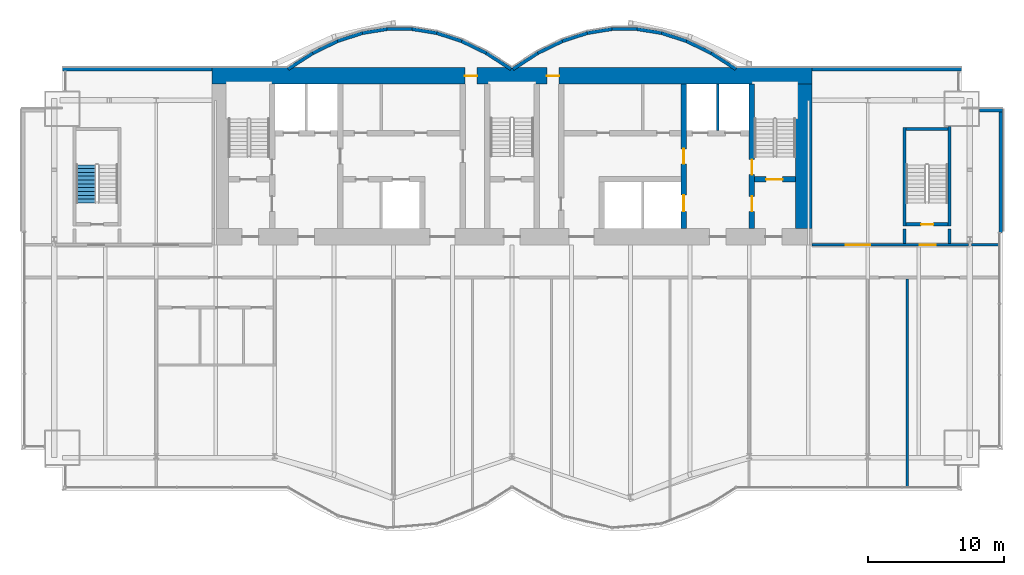
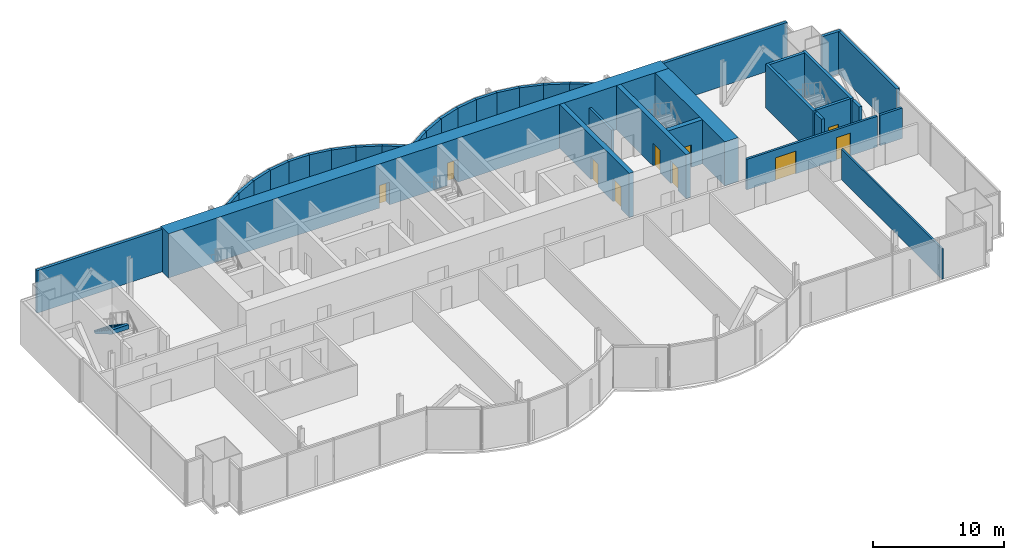
# One storey, part 16 of 20: 37 walls, 10 doors, 1 stair flight, 10 openings, 1 element without a shape of its own.
"""IFC4 building model written with IfcOpenShell, lengths in metres."""

from ifc_helpers import new_model, si_unit, direction, frame, frame_2d, origin, place, context, subcontext, project, spatial, polyline, rectangle, outline, extrude, material, layer, layer_set, layer_usage, type_object, element, fill, aggregate, save


model = new_model("IFC4")

# Units and contexts
model_context = context("Model", 3, precision=1e-05, world=origin(), true_north=direction((0.0, 1.0)))
body_context = subcontext(model_context, "Body", "Model", "MODEL_VIEW")
ifc_project = project(units=[si_unit("LENGTHUNIT", "METRE"), si_unit("AREAUNIT", "SQUARE_METRE"), si_unit("VOLUMEUNIT", "CUBIC_METRE"), si_unit("PLANEANGLEUNIT", "RADIAN"), si_unit("MASSUNIT", "GRAM", prefix="KILO")], contexts=[model_context])

# Site, building, storey
site_placement = place(None, origin())
site = spatial("IfcSite", under=ifc_project, at=site_placement, CompositionType="ELEMENT")
building_placement = place(site_placement, origin())
building = spatial("IfcBuilding", under=site, at=building_placement, Name="Bicima Exchange Tower", CompositionType="ELEMENT")
storey_placement = place(building_placement, frame((0.0, 0.0, 227.800048828125)))
storey = spatial("IfcBuildingStorey", under=building, at=storey_placement, Name="L51", CompositionType="ELEMENT", Elevation=227.800048828125)

# Wall
ifc_material_1 = material(Name="Gypsum board partition")
ifc_layer_1 = layer(ifc_material_1, 0.199951171875)
ifc_layer_set_1 = layer_set([ifc_layer_1], Name="Gypsum board partition")
wall_type_1 = type_object("IfcWallType", Name="Fire-rated gypsum partition 200 EI120", PredefinedType="PARTITIONING", material=ifc_layer_set_1)
wall_1_placement = place(storey_placement, frame((15.10009765625, -4.60009765625, 0.0), z_axis=(0.0, 0.0, 1.0), x_axis=(0.0, 1.0, 0.0)))
element("IfcWall", 1, at=wall_1_placement, inside=storey, type_object=wall_type_1, Name="partition wall 22", PredefinedType="PARTITIONING", context=body_context, shape_type="SweptSolid", body=[
    extrude(rectangle(XDim=3.400146484375, YDim=0.199951171875, at=frame_2d((1.7001953125, 0.0))), origin(), (0.0, 0.0, 1.0), 2.84033203125),
])

# Wall, openings, doors
ifc_layer_2 = layer(ifc_material_1, 0.199951171875)
ifc_layer_set_2 = layer_set([ifc_layer_2], Name="Gypsum board partition")
wall_type_2 = type_object("IfcWallType", Name="Fire-rated gypsum partition 200 EI60", PredefinedType="PARTITIONING", material=ifc_layer_set_2)
wall_2_placement = place(storey_placement, frame((22.0, -13.0, 0.0), z_axis=(0.0, 0.0, 1.0), x_axis=(1.0, 0.0, 0.0)))
wall_2 = element("IfcWall", 2, at=wall_2_placement, inside=storey, type_object=wall_type_2, Name="partition wall 6", PredefinedType="PARTITIONING", context=body_context, shape_type="SweptSolid", body=[
    extrude(rectangle(XDim=11.47998046875, YDim=0.199951171875, at=frame_2d((5.739990234375, 0.0))), origin(), (0.0, 0.0, 1.0), 2.84033203125),
])
opening_1_placement = place(wall_2_placement, frame((7.89990234375, 0.0, 0.0)))
opening_1 = element("IfcOpeningElement", 3, at=opening_1_placement, cuts=wall_2, Name="Opening L51-003", PredefinedType="OPENING", context=body_context, shape_type="SweptSolid", body=[
    extrude(rectangle(XDim=1.199951171875, YDim=2.10009765625, at=frame_2d((0.60009765625, 1.050048828125))), frame((0.0, 0.11181640625, 0.0), z_axis=(0.0, -1.0, 0.0), x_axis=(1.0, 0.0, 0.0)), (0.0, 0.0, 1.0), 0.223876953125),
])
opening_2_placement = place(wall_2_placement, frame((2.5, 0.0, 0.0)))
opening_2 = element("IfcOpeningElement", 4, at=opening_2_placement, cuts=wall_2, Name="Opening L51-006", PredefinedType="OPENING", context=body_context, shape_type="SweptSolid", body=[
    extrude(rectangle(XDim=1.800048828125, YDim=2.10009765625, at=frame_2d((0.89990234375, 1.050048828125))), frame((0.0, 0.11181640625, 0.0), z_axis=(0.0, -1.0, 0.0), x_axis=(1.0, 0.0, 0.0)), (0.0, 0.0, 1.0), 0.223876953125),
])
ifc_material_2 = material(Name="Steel fire door leaf", Category="steel")
door_type_1 = type_object("IfcDoorType", Name="Door 1200 swing FD30S", OperationType="SINGLE_SWING_LEFT", PredefinedType="DOOR", material=ifc_material_2)
door_1_placement = place(opening_1_placement, origin())
door_1 = element("IfcDoor", 5, at=door_1_placement, inside=storey, type_object=door_type_1, Name="Door", OperationType="SINGLE_SWING_RIGHT", OverallHeight=2.10009765625, OverallWidth=1.199951171875, PredefinedType="DOOR", context=body_context, shape_type="SweptSolid", body=[
    extrude(rectangle(XDim=1.199951171875, YDim=2.10009765625, at=frame_2d((0.60009765625, 1.050048828125))), frame((0.0, 0.02490234375, 0.0), z_axis=(0.0, -1.0, 0.0), x_axis=(1.0, 0.0, 0.0)), (0.0, 0.0, 1.0), 0.050048828125),
])
fill(opening_1, door_1)
door_type_2 = type_object("IfcDoorType", Name="Door 1800 double swing FD30S", OperationType="DOUBLE_DOOR_SINGLE_SWING", PredefinedType="DOOR", material=ifc_material_2)
door_2_placement = place(opening_2_placement, origin())
door_2 = element("IfcDoor", 6, at=door_2_placement, inside=storey, type_object=door_type_2, Name="Door", OperationType="SINGLE_SWING_LEFT", OverallHeight=2.10009765625, OverallWidth=1.800048828125, PredefinedType="DOOR", context=body_context, shape_type="SweptSolid", body=[
    extrude(rectangle(XDim=1.800048828125, YDim=2.10009765625, at=frame_2d((0.89990234375, 1.050048828125))), frame((0.0, 0.02490234375, 0.0), z_axis=(0.0, -1.0, 0.0), x_axis=(1.0, 0.0, 0.0)), (0.0, 0.0, 1.0), 0.050048828125),
])
fill(opening_2, door_2)

# Walls
wall_3_placement = place(storey_placement, frame((33.719970703125, -13.0, 0.0), z_axis=(0.0, 0.0, 1.0), x_axis=(1.0, 0.0, 0.0)))
element("IfcWall", 7, at=wall_3_placement, inside=storey, type_object=wall_type_2, Name="partition wall 7", PredefinedType="PARTITIONING", context=body_context, shape_type="SweptSolid", body=[
    extrude(rectangle(XDim=1.9599609375, YDim=0.199951171875, at=frame_2d((0.97998046875, 0.0))), origin(), (0.0, 0.0, 1.0), 2.84033203125),
])
ifc_layer_3 = layer(ifc_material_1, 0.14990234375)
ifc_layer_set_3 = layer_set([ifc_layer_3], Name="Gypsum board partition")
wall_type_3 = type_object("IfcWallType", Name="Gypsum partition 150", PredefinedType="PARTITIONING", material=ifc_layer_set_3)
wall_4_placement = place(storey_placement, frame((29.0, -30.81005859375, 0.0), z_axis=(0.0, 0.0, 1.0), x_axis=(0.0, 1.0, 0.0)))
element("IfcWall", 8, at=wall_4_placement, inside=storey, type_object=wall_type_3, Name="partition wall 28", PredefinedType="PARTITIONING", context=body_context, shape_type="SweptSolid", body=[
    extrude(rectangle(XDim=15.31005859375, YDim=0.14990234375, at=frame_2d((7.655029296875, 0.0))), origin(), (0.0, 0.0, 1.0), 2.84033203125),
])

# Wall, openings, doors
ifc_material_3 = material(Name="Concrete C50/60", Category="concrete")
ifc_layer_4 = layer(ifc_material_3, 1.199951171875)
ifc_layer_set_4 = layer_set([ifc_layer_4], Name="Concrete C50/60")
wall_type_4 = type_object("IfcWallType", Name="RC core wall 1200 C50/60", PredefinedType="SHEAR", material=ifc_layer_set_4)
wall_5_placement = place(storey_placement, frame((-22.0, -0.60009765625, 0.0), z_axis=(0.0, 0.0, 1.0), x_axis=(1.0, 0.0, 0.0)))
wall_5 = element("IfcWall", 9, at=wall_5_placement, inside=storey, type_object=wall_type_4, Name="Core wall north", PredefinedType="SHEAR", context=body_context, shape_type="SweptSolid", body=[
    extrude(rectangle(XDim=44.0, YDim=1.199951171875, at=frame_2d((22.0, 0.0))), origin(), (0.0, 0.0, 1.0), 4.099853515625),
])
opening_3_placement = place(wall_5_placement, frame((18.550048828125, 0.0, 0.0)))
opening_3 = element("IfcOpeningElement", 10, at=opening_3_placement, cuts=wall_5, Name="Opening L51-C17", PredefinedType="OPENING", context=body_context, shape_type="SweptSolid", body=[
    extrude(rectangle(XDim=0.89990234375, YDim=2.10009765625, at=frame_2d((0.449951171875, 1.050048828125))), frame((0.0, 0.61181640625, 0.0), z_axis=(0.0, -1.0, 0.0), x_axis=(1.0, 0.0, 0.0)), (0.0, 0.0, 1.0), 1.223876953125),
])
opening_4_placement = place(wall_5_placement, frame((24.550048828125, 0.0, 0.0)))
opening_4 = element("IfcOpeningElement", 11, at=opening_4_placement, cuts=wall_5, Name="Opening L51-C18", PredefinedType="OPENING", context=body_context, shape_type="SweptSolid", body=[
    extrude(rectangle(XDim=0.89990234375, YDim=2.10009765625, at=frame_2d((0.449951171875, 1.050048828125))), frame((0.0, 0.61181640625, 0.0), z_axis=(0.0, -1.0, 0.0), x_axis=(1.0, 0.0, 0.0)), (0.0, 0.0, 1.0), 1.223876953125),
])
door_type_3 = type_object("IfcDoorType", Name="Door 900 swing FD30S", OperationType="SINGLE_SWING_LEFT", PredefinedType="DOOR", material=ifc_material_2)
door_3_placement = place(opening_3_placement, origin())
door_3 = element("IfcDoor", 12, at=door_3_placement, inside=storey, type_object=door_type_3, Name="Core door", OperationType="SINGLE_SWING_LEFT", OverallHeight=2.10009765625, OverallWidth=0.89990234375, PredefinedType="DOOR", context=body_context, shape_type="SweptSolid", body=[
    extrude(rectangle(XDim=0.89990234375, YDim=2.10009765625, at=frame_2d((0.449951171875, 1.050048828125))), frame((0.0, 0.02490234375, 0.0), z_axis=(0.0, -1.0, 0.0), x_axis=(1.0, 0.0, 0.0)), (0.0, 0.0, 1.0), 0.050048828125),
])
fill(opening_3, door_3)
door_4_placement = place(opening_4_placement, origin())
door_4 = element("IfcDoor", 13, at=door_4_placement, inside=storey, type_object=door_type_3, Name="Core door", OperationType="SINGLE_SWING_LEFT", OverallHeight=2.10009765625, OverallWidth=0.89990234375, PredefinedType="DOOR", context=body_context, shape_type="SweptSolid", body=[
    extrude(rectangle(XDim=0.89990234375, YDim=2.10009765625, at=frame_2d((0.449951171875, 1.050048828125))), frame((0.0, 0.02490234375, 0.0), z_axis=(0.0, -1.0, 0.0), x_axis=(1.0, 0.0, 0.0)), (0.0, 0.0, 1.0), 0.050048828125),
])
fill(opening_4, door_4)

# Walls
wall_6_placement = place(storey_placement, frame((21.39990234375, -11.800048828125, 0.0), z_axis=(0.0, 0.0, 1.0), x_axis=(0.0, 1.0, 0.0)))
element("IfcWall", 14, at=wall_6_placement, inside=storey, type_object=wall_type_4, Name="Core wall east", PredefinedType="SHEAR", context=body_context, shape_type="SweptSolid", body=[
    extrude(rectangle(XDim=10.60009765625, YDim=1.199951171875, at=frame_2d((5.300048828125, 0.0))), origin(), (0.0, 0.0, 1.0), 4.099853515625),
])
ifc_layer_5 = layer(ifc_material_3, 0.25)
ifc_layer_set_5 = layer_set([ifc_layer_5], Name="Concrete C50/60")
wall_type_5 = type_object("IfcWallType", Name="RC core wall 250 C50/60", PredefinedType="SHEAR", material=ifc_layer_set_5)
for number, where, z_axis, x_axis, name in (
    (15, (28.800048828125, -12.89990234375, 0.0), (0.0, 0.0, 1.0), (0.0, 1.0, 0.0), "stair wall 27"),
    (16, (32.10009765625, -12.89990234375, 0.0), (0.0, 0.0, 1.0), (0.0, 1.0, 0.0), "stair wall 29"),
):
    element("IfcWall", number, at=place(storey_placement, frame(where, z_axis=z_axis, x_axis=x_axis)), inside=storey, type_object=wall_type_5, Name=name, PredefinedType="SHEAR", context=body_context, shape_type="SweptSolid", body=[
        extrude(rectangle(XDim=1.0498046875, YDim=0.25, at=frame_2d((0.52490234375, 0.0))), origin(), (0.0, 0.0, 1.0), 4.099853515625),
    ])

# Wall, opening, door
ifc_layer_6 = layer(ifc_material_3, 0.39990234375)
ifc_layer_set_6 = layer_set([ifc_layer_6], Name="Concrete C50/60")
wall_type_6 = type_object("IfcWallType", Name="RC core wall 400 C50/60", PredefinedType="SHEAR", material=ifc_layer_set_6)
wall_7_placement = place(storey_placement, frame((17.800048828125, -8.199951171875, 0.0), z_axis=(0.0, 0.0, 1.0), x_axis=(1.0, 0.0, 0.0)))
wall_7 = element("IfcWall", 17, at=wall_7_placement, inside=storey, type_object=wall_type_6, Name="stair wall 5", PredefinedType="SHEAR", context=body_context, shape_type="SweptSolid", body=[
    extrude(rectangle(XDim=3.0, YDim=0.39990234375, at=frame_2d((1.5, 0.0))), origin(), (0.0, 0.0, 1.0), 4.099853515625),
])
opening_5_placement = place(wall_7_placement, frame((0.85009765625, 0.0, 0.0)))
opening_5 = element("IfcOpeningElement", 18, at=opening_5_placement, cuts=wall_7, Name="Opening L51-C04", PredefinedType="OPENING", context=body_context, shape_type="SweptSolid", body=[
    extrude(rectangle(XDim=1.199951171875, YDim=2.10009765625, at=frame_2d((0.60009765625, 1.050048828125))), frame((0.0, 0.2119140625, 0.0), z_axis=(0.0, -1.0, 0.0), x_axis=(1.0, 0.0, 0.0)), (0.0, 0.0, 1.0), 0.423828125),
])
door_type_4 = type_object("IfcDoorType", Name="Door 1200 swing FD60S", OperationType="SINGLE_SWING_LEFT", PredefinedType="DOOR", material=ifc_material_2)
door_5_placement = place(opening_5_placement, origin())
door_5 = element("IfcDoor", 19, at=door_5_placement, inside=storey, type_object=door_type_4, Name="Core door", OperationType="SINGLE_SWING_RIGHT", OverallHeight=2.10009765625, OverallWidth=1.199951171875, PredefinedType="DOOR", context=body_context, shape_type="SweptSolid", body=[
    extrude(rectangle(XDim=1.199951171875, YDim=2.10009765625, at=frame_2d((0.60009765625, 1.050048828125))), frame((0.0, 0.02490234375, 0.0), z_axis=(0.0, -1.0, 0.0), x_axis=(1.0, 0.0, 0.0)), (0.0, 0.0, 1.0), 0.050048828125),
])
fill(opening_5, door_5)

# Wall, openings, doors
wall_8_placement = place(storey_placement, frame((12.60009765625, -11.800048828125, 0.0), z_axis=(0.0, 0.0, 1.0), x_axis=(0.0, 1.0, 0.0)))
wall_8 = element("IfcWall", 20, at=wall_8_placement, inside=storey, type_object=wall_type_6, Name="shear wall 21", PredefinedType="SHEAR", context=body_context, shape_type="SweptSolid", body=[
    extrude(rectangle(XDim=10.60009765625, YDim=0.39990234375, at=frame_2d((5.300048828125, 0.0))), origin(), (0.0, 0.0, 1.0), 4.099853515625),
])
opening_6_placement = place(wall_8_placement, frame((1.25, 0.0, 0.0)))
opening_6 = element("IfcOpeningElement", 21, at=opening_6_placement, cuts=wall_8, Name="Opening LD-MB2-L51", PredefinedType="OPENING", context=body_context, shape_type="SweptSolid", body=[
    extrude(rectangle(XDim=1.199951171875, YDim=2.10009765625, at=frame_2d((0.60009765625, 1.050048828125))), frame((0.0, 0.2119140625, 0.0), z_axis=(0.0, -1.0, 0.0), x_axis=(1.0, 0.0, 0.0)), (0.0, 0.0, 1.0), 0.423828125),
])
opening_7_placement = place(wall_8_placement, frame((4.75, 0.0, 0.0)))
opening_7 = element("IfcOpeningElement", 22, at=opening_7_placement, cuts=wall_8, Name="Opening L51-C09", PredefinedType="OPENING", context=body_context, shape_type="SweptSolid", body=[
    extrude(rectangle(XDim=1.10009765625, YDim=2.10009765625, at=frame_2d((0.550048828125, 1.050048828125))), frame((0.0, 0.2119140625, 0.0), z_axis=(0.0, -1.0, 0.0), x_axis=(1.0, 0.0, 0.0)), (0.0, 0.0, 1.0), 0.423828125),
])
door_type_5 = type_object("IfcDoorType", Name="Door 1100 swing FD60S", OperationType="SINGLE_SWING_LEFT", PredefinedType="DOOR", material=ifc_material_2)
door_6_placement = place(opening_7_placement, frame((1.10009765625, 0.0, 0.0), z_axis=(0.0, 0.0, 1.0), x_axis=(-1.0, 0.0, 0.0)))
door_6 = element("IfcDoor", 23, at=door_6_placement, inside=storey, type_object=door_type_5, Name="Core door", OperationType="SINGLE_SWING_RIGHT", OverallHeight=2.10009765625, OverallWidth=1.10009765625, PredefinedType="DOOR", context=body_context, shape_type="SweptSolid", body=[
    extrude(rectangle(XDim=1.10009765625, YDim=2.10009765625, at=frame_2d((0.550048828125, 1.050048828125))), frame((0.0, 0.02490234375, 0.0), z_axis=(0.0, -1.0, 0.0), x_axis=(1.0, 0.0, 0.0)), (0.0, 0.0, 1.0), 0.050048828125),
])
fill(opening_7, door_6)
ifc_material_4 = material(Name="Stainless steel", Category="steel")
door_type_6 = type_object("IfcDoorType", Name="Lift landing door 1200 sliding", OperationType="DOUBLE_DOOR_SLIDING", PredefinedType="DOOR", material=ifc_material_4)
door_7_placement = place(opening_6_placement, origin())
door_7 = element("IfcDoor", 24, at=door_7_placement, inside=storey, type_object=door_type_6, Name="Lift landing door MB2", OperationType="DOUBLE_DOOR_SLIDING", OverallHeight=2.10009765625, OverallWidth=1.199951171875, PredefinedType="DOOR", context=body_context, shape_type="SweptSolid", body=[
    extrude(rectangle(XDim=1.199951171875, YDim=2.10009765625, at=frame_2d((0.60009765625, 1.050048828125))), frame((0.0, 0.02490234375, 0.0), z_axis=(0.0, -1.0, 0.0), x_axis=(1.0, 0.0, 0.0)), (0.0, 0.0, 1.0), 0.050048828125),
])
fill(opening_6, door_7)

wall_9_placement = place(storey_placement, frame((17.60009765625, -11.800048828125, 0.0), z_axis=(0.0, 0.0, 1.0), x_axis=(0.0, 1.0, 0.0)))
wall_9 = element("IfcWall", 25, at=wall_9_placement, inside=storey, type_object=wall_type_6, Name="stair wall 23", PredefinedType="SHEAR", context=body_context, shape_type="SweptSolid", body=[
    extrude(rectangle(XDim=10.60009765625, YDim=0.39990234375, at=frame_2d((5.300048828125, 0.0))), origin(), (0.0, 0.0, 1.0), 4.099853515625),
])
opening_8_placement = place(wall_9_placement, frame((1.25, 0.0, 0.0)))
opening_8 = element("IfcOpeningElement", 26, at=opening_8_placement, cuts=wall_9, Name="Opening L51-C05", PredefinedType="OPENING", context=body_context, shape_type="SweptSolid", body=[
    extrude(rectangle(XDim=1.10009765625, YDim=2.10009765625, at=frame_2d((0.550048828125, 1.050048828125))), frame((0.0, 0.2119140625, 0.0), z_axis=(0.0, -1.0, 0.0), x_axis=(1.0, 0.0, 0.0)), (0.0, 0.0, 1.0), 0.423828125),
])
opening_9_placement = place(wall_9_placement, frame((3.949951171875, 0.0, 0.0)))
opening_9 = element("IfcOpeningElement", 27, at=opening_9_placement, cuts=wall_9, Name="Opening L51-C08", PredefinedType="OPENING", context=body_context, shape_type="SweptSolid", body=[
    extrude(rectangle(XDim=1.10009765625, YDim=2.10009765625, at=frame_2d((0.550048828125, 1.050048828125))), frame((0.0, 0.2119140625, 0.0), z_axis=(0.0, -1.0, 0.0), x_axis=(1.0, 0.0, 0.0)), (0.0, 0.0, 1.0), 0.423828125),
])
door_8_placement = place(opening_8_placement, origin())
door_8 = element("IfcDoor", 28, at=door_8_placement, inside=storey, type_object=door_type_5, Name="Core door", OperationType="SINGLE_SWING_LEFT", OverallHeight=2.10009765625, OverallWidth=1.10009765625, PredefinedType="DOOR", context=body_context, shape_type="SweptSolid", body=[
    extrude(rectangle(XDim=1.10009765625, YDim=2.10009765625, at=frame_2d((0.550048828125, 1.050048828125))), frame((0.0, 0.02490234375, 0.0), z_axis=(0.0, -1.0, 0.0), x_axis=(1.0, 0.0, 0.0)), (0.0, 0.0, 1.0), 0.050048828125),
])
fill(opening_8, door_8)
door_9_placement = place(opening_9_placement, origin())
door_9 = element("IfcDoor", 29, at=door_9_placement, inside=storey, type_object=door_type_5, Name="Core door", OperationType="SINGLE_SWING_RIGHT", OverallHeight=2.10009765625, OverallWidth=1.10009765625, PredefinedType="DOOR", context=body_context, shape_type="SweptSolid", body=[
    extrude(rectangle(XDim=1.10009765625, YDim=2.10009765625, at=frame_2d((0.550048828125, 1.050048828125))), frame((0.0, 0.02490234375, 0.0), z_axis=(0.0, -1.0, 0.0), x_axis=(1.0, 0.0, 0.0)), (0.0, 0.0, 1.0), 0.050048828125),
])
fill(opening_9, door_9)

# Walls
ifc_layer_7 = layer(ifc_material_3, 0.25)
ifc_layer_set_7 = layer_set([ifc_layer_7], Name="Concrete C50/60")
wall_type_7 = type_object("IfcWallType", Name="RC stair enclosure wall 250 C50/60", PredefinedType="SHEAR", material=ifc_layer_set_7)
wall_10_placement = place(storey_placement, frame((28.800048828125, -11.625, 0.0), z_axis=(0.0, 0.0, 1.0), x_axis=(0.0, 1.0, 0.0)))
element("IfcWall", 30, at=wall_10_placement, inside=storey, type_object=wall_type_7, Name="East end exit stair wall W", PredefinedType="SHEAR", context=body_context, shape_type="SweptSolid", body=[
    extrude(rectangle(XDim=7.25, YDim=0.25, at=frame_2d((3.625, 0.0))), origin(), (0.0, 0.0, 1.0), 4.099853515625),
])
wall_11_placement = place(storey_placement, frame((32.10009765625, -11.625, 0.0), z_axis=(0.0, 0.0, 1.0), x_axis=(0.0, 1.0, 0.0)))
element("IfcWall", 31, at=wall_11_placement, inside=storey, type_object=wall_type_7, Name="East end exit stair wall E", PredefinedType="SHEAR", context=body_context, shape_type="SweptSolid", body=[
    extrude(rectangle(XDim=7.324951171875, YDim=0.25, at=frame_2d((3.66259765625, 0.0))), origin(), (0.0, 0.0, 1.0), 4.099853515625),
])

# Wall, opening, door
wall_12_placement = place(storey_placement, frame((28.925048828125, -11.5, 0.0), z_axis=(0.0, 0.0, 1.0), x_axis=(1.0, 0.0, 0.0)))
wall_12 = element("IfcWall", 32, at=wall_12_placement, inside=storey, type_object=wall_type_7, Name="East end exit stair wall S", PredefinedType="SHEAR", context=body_context, shape_type="SweptSolid", body=[
    extrude(rectangle(XDim=3.050048828125, YDim=0.25, at=frame_2d((1.52490234375, 0.0))), origin(), (0.0, 0.0, 1.0), 4.099853515625),
])
opening_10_placement = place(wall_12_placement, frame((1.10009765625, 0.0, 0.0)))
opening_10 = element("IfcOpeningElement", 33, at=opening_10_placement, cuts=wall_12, Name="Opening L51-004", PredefinedType="OPENING", context=body_context, shape_type="SweptSolid", body=[
    extrude(rectangle(XDim=0.89990234375, YDim=2.10009765625, at=frame_2d((0.449951171875, 1.050048828125))), frame((0.0, 0.136962890625, 0.0), z_axis=(0.0, -1.0, 0.0), x_axis=(1.0, 0.0, 0.0)), (0.0, 0.0, 1.0), 0.27392578125),
])
door_type_7 = type_object("IfcDoorType", Name="Door 900 swing FD60S", OperationType="SINGLE_SWING_LEFT", PredefinedType="DOOR", material=ifc_material_2)
door_10_placement = place(opening_10_placement, origin())
door_10 = element("IfcDoor", 34, at=door_10_placement, inside=storey, type_object=door_type_7, Name="Door", OperationType="SINGLE_SWING_LEFT", OverallHeight=2.10009765625, OverallWidth=0.89990234375, PredefinedType="DOOR", context=body_context, shape_type="SweptSolid", body=[
    extrude(rectangle(XDim=0.89990234375, YDim=2.10009765625, at=frame_2d((0.449951171875, 1.050048828125))), frame((0.0, 0.02490234375, 0.0), z_axis=(0.0, -1.0, 0.0), x_axis=(1.0, 0.0, 0.0)), (0.0, 0.0, 1.0), 0.050048828125),
])
fill(opening_10, door_10)

# Walls
wall_13_placement = place(storey_placement, frame((28.925048828125, -4.5, 0.0), z_axis=(0.0, 0.0, 1.0), x_axis=(1.0, 0.0, 0.0)))
element("IfcWall", 35, at=wall_13_placement, inside=storey, type_object=wall_type_7, Name="East end exit stair wall N", PredefinedType="SHEAR", context=body_context, shape_type="SweptSolid", body=[
    extrude(rectangle(XDim=3.050048828125, YDim=0.25, at=frame_2d((1.52490234375, 0.0))), origin(), (0.0, 0.0, 1.0), 4.099853515625),
])
ifc_material_5 = material(Name="Concrete C40/50", Category="concrete")
ifc_layer_8 = layer(ifc_material_5, 0.25)
ifc_layer_set_8 = layer_set([ifc_layer_8], Name="Concrete C40/50")
ifc_layer_usage = layer_usage(ifc_layer_set_8, "AXIS2", "POSITIVE", -0.125)
wall_type_8 = type_object("IfcWallType", Name="Rear backup wall 250", PredefinedType="STANDARD", material=ifc_layer_set_8)
wall_14_placement = place(storey_placement, frame((33.0, -0.125, 0.0), z_axis=(0.0, 0.0, 1.0), x_axis=(-1.0, 0.0, 0.0)))
element("IfcWall", 36, at=wall_14_placement, inside=storey, type_object=wall_type_8, material=ifc_layer_usage, Name="Rear backup wall L51 1", PredefinedType="STANDARD", context=body_context, shape_type="SweptSolid", body=[
    extrude(rectangle(XDim=11.0, YDim=0.25, at=frame_2d((5.5, 0.0))), origin(), (0.0, 0.0, 1.0), 3.949951171875),
])
wall_15_placement = place(storey_placement, frame((16.43212890625, -0.10498046875, 0.0), z_axis=(0.0, 0.0, 1.0), x_axis=(-0.83981312244, 0.542875602121, 0.0)))
element("IfcWall", 37, at=wall_15_placement, inside=storey, type_object=wall_type_8, material=ifc_layer_usage, Name="Rear backup wall L51 2", PredefinedType="STANDARD", context=body_context, shape_type="SweptSolid", body=[
    extrude(rectangle(XDim=2.182861328125, YDim=0.25, at=frame_2d((1.09130859375, 0.0))), origin(), (0.0, 0.0, 1.0), 3.949951171875),
])
wall_16_placement = place(storey_placement, frame((14.6123046875, 1.07275390625, 0.0), z_axis=(0.0, 0.0, 1.0), x_axis=(-0.89982408427, 0.436252928206, 0.0)))
element("IfcWall", 38, at=wall_16_placement, inside=storey, type_object=wall_type_8, material=ifc_layer_usage, Name="Rear backup wall L51 3", PredefinedType="STANDARD", context=body_context, shape_type="SweptSolid", body=[
    extrude(rectangle(XDim=2.03759765625, YDim=0.25, at=frame_2d((1.018798828125, 0.0))), origin(), (0.0, 0.0, 1.0), 3.949951171875),
])
wall_17_placement = place(storey_placement, frame((12.794921875, 1.955078125, 0.0), z_axis=(0.0, 0.0, 1.0), x_axis=(-0.951495806175, 0.307661714928, 0.0)))
element("IfcWall", 39, at=wall_17_placement, inside=storey, type_object=wall_type_8, material=ifc_layer_usage, Name="Rear backup wall L51 4", PredefinedType="STANDARD", context=body_context, shape_type="SweptSolid", body=[
    extrude(rectangle(XDim=1.9267578125, YDim=0.25, at=frame_2d((0.96337890625, 0.0))), origin(), (0.0, 0.0, 1.0), 3.949951171875),
])
wall_18_placement = place(storey_placement, frame((10.97998046875, 2.543212890625, 0.0), z_axis=(0.0, 0.0, 1.0), x_axis=(-0.987181718931, 0.159600293885, 0.0)))
element("IfcWall", 40, at=wall_18_placement, inside=storey, type_object=wall_type_8, material=ifc_layer_usage, Name="Rear backup wall L51 5", PredefinedType="STANDARD", context=body_context, shape_type="SweptSolid", body=[
    extrude(rectangle(XDim=1.857177734375, YDim=0.25, at=frame_2d((0.9287109375, 0.0))), origin(), (0.0, 0.0, 1.0), 3.949951171875),
])
wall_19_placement = place(storey_placement, frame((9.166748046875, 2.837890625, 0.0), z_axis=(0.0, 0.0, 1.0), x_axis=(-1.0, 0.0, 0.0)))
element("IfcWall", 41, at=wall_19_placement, inside=storey, type_object=wall_type_8, material=ifc_layer_usage, Name="Rear backup wall L51 6", PredefinedType="STANDARD", context=body_context, shape_type="SweptSolid", body=[
    extrude(rectangle(XDim=1.83349609375, YDim=0.25, at=frame_2d((0.916748046875, 0.0))), origin(), (0.0, 0.0, 1.0), 3.949951171875),
])
wall_20_placement = place(storey_placement, frame((7.353271484375, 2.839599609375, 0.0), z_axis=(0.0, 0.0, 1.0), x_axis=(-0.987181718931, -0.159600293885, 0.0)))
element("IfcWall", 42, at=wall_20_placement, inside=storey, type_object=wall_type_8, material=ifc_layer_usage, Name="Rear backup wall L51 7", PredefinedType="STANDARD", context=body_context, shape_type="SweptSolid", body=[
    extrude(rectangle(XDim=1.857177734375, YDim=0.25, at=frame_2d((0.9287109375, 0.0))), origin(), (0.0, 0.0, 1.0), 3.949951171875),
])
wall_21_placement = place(storey_placement, frame((5.538330078125, 2.5478515625, 0.0), z_axis=(0.0, 0.0, 1.0), x_axis=(-0.951495806175, -0.307661714928, 0.0)))
element("IfcWall", 43, at=wall_21_placement, inside=storey, type_object=wall_type_8, material=ifc_layer_usage, Name="Rear backup wall L51 8", PredefinedType="STANDARD", context=body_context, shape_type="SweptSolid", body=[
    extrude(rectangle(XDim=1.9267578125, YDim=0.25, at=frame_2d((0.96337890625, 0.0))), origin(), (0.0, 0.0, 1.0), 3.949951171875),
])
wall_22_placement = place(storey_placement, frame((3.72119140625, 1.961669921875, 0.0), z_axis=(0.0, 0.0, 1.0), x_axis=(-0.89982408427, -0.436252928206, 0.0)))
element("IfcWall", 44, at=wall_22_placement, inside=storey, type_object=wall_type_8, material=ifc_layer_usage, Name="Rear backup wall L51 9", PredefinedType="STANDARD", context=body_context, shape_type="SweptSolid", body=[
    extrude(rectangle(XDim=2.03759765625, YDim=0.25, at=frame_2d((1.018798828125, 0.0))), origin(), (0.0, 0.0, 1.0), 3.949951171875),
])
for number, where, z_axis, x_axis, name in (
    (45, (1.901123046875, 1.080078125, 0.0), (0.0, 0.0, 1.0), (-0.83981312244, -0.542875602121, 0.0), "Rear backup wall L51 10"),
    (46, (-0.06787109375, -0.10498046875, 0.0), (0.0, 0.0, 1.0), (-0.83981312244, 0.542875602121, 0.0), "Rear backup wall L51 11"),
):
    element("IfcWall", number, at=place(storey_placement, frame(where, z_axis=z_axis, x_axis=x_axis)), inside=storey, type_object=wall_type_8, material=ifc_layer_usage, Name=name, PredefinedType="STANDARD", context=body_context, shape_type="SweptSolid", body=[
        extrude(rectangle(XDim=2.182861328125, YDim=0.25, at=frame_2d((1.09130859375, 0.0))), origin(), (0.0, 0.0, 1.0), 3.949951171875),
    ])
wall_23_placement = place(storey_placement, frame((-1.8876953125, 1.07275390625, 0.0), z_axis=(0.0, 0.0, 1.0), x_axis=(-0.89982408427, 0.436252928206, 0.0)))
element("IfcWall", 47, at=wall_23_placement, inside=storey, type_object=wall_type_8, material=ifc_layer_usage, Name="Rear backup wall L51 12", PredefinedType="STANDARD", context=body_context, shape_type="SweptSolid", body=[
    extrude(rectangle(XDim=2.03759765625, YDim=0.25, at=frame_2d((1.018798828125, 0.0))), origin(), (0.0, 0.0, 1.0), 3.949951171875),
])
wall_24_placement = place(storey_placement, frame((-3.705078125, 1.955078125, 0.0), z_axis=(0.0, 0.0, 1.0), x_axis=(-0.951495806175, 0.307661714928, 0.0)))
element("IfcWall", 48, at=wall_24_placement, inside=storey, type_object=wall_type_8, material=ifc_layer_usage, Name="Rear backup wall L51 13", PredefinedType="STANDARD", context=body_context, shape_type="SweptSolid", body=[
    extrude(rectangle(XDim=1.9267578125, YDim=0.25, at=frame_2d((0.96337890625, 0.0))), origin(), (0.0, 0.0, 1.0), 3.949951171875),
])
wall_25_placement = place(storey_placement, frame((-5.52001953125, 2.543212890625, 0.0), z_axis=(0.0, 0.0, 1.0), x_axis=(-0.987181718931, 0.159600293885, 0.0)))
element("IfcWall", 49, at=wall_25_placement, inside=storey, type_object=wall_type_8, material=ifc_layer_usage, Name="Rear backup wall L51 14", PredefinedType="STANDARD", context=body_context, shape_type="SweptSolid", body=[
    extrude(rectangle(XDim=1.857177734375, YDim=0.25, at=frame_2d((0.9287109375, 0.0))), origin(), (0.0, 0.0, 1.0), 3.949951171875),
])
wall_26_placement = place(storey_placement, frame((-7.333251953125, 2.837890625, 0.0), z_axis=(0.0, 0.0, 1.0), x_axis=(-1.0, 0.0, 0.0)))
element("IfcWall", 50, at=wall_26_placement, inside=storey, type_object=wall_type_8, material=ifc_layer_usage, Name="Rear backup wall L51 15", PredefinedType="STANDARD", context=body_context, shape_type="SweptSolid", body=[
    extrude(rectangle(XDim=1.83349609375, YDim=0.25, at=frame_2d((0.916748046875, 0.0))), origin(), (0.0, 0.0, 1.0), 3.949951171875),
])
wall_27_placement = place(storey_placement, frame((-9.146728515625, 2.839599609375, 0.0), z_axis=(0.0, 0.0, 1.0), x_axis=(-0.987181718931, -0.159600293885, 0.0)))
element("IfcWall", 51, at=wall_27_placement, inside=storey, type_object=wall_type_8, material=ifc_layer_usage, Name="Rear backup wall L51 16", PredefinedType="STANDARD", context=body_context, shape_type="SweptSolid", body=[
    extrude(rectangle(XDim=1.857177734375, YDim=0.25, at=frame_2d((0.9287109375, 0.0))), origin(), (0.0, 0.0, 1.0), 3.949951171875),
])
wall_28_placement = place(storey_placement, frame((-10.961669921875, 2.5478515625, 0.0), z_axis=(0.0, 0.0, 1.0), x_axis=(-0.951495806175, -0.307661714928, 0.0)))
element("IfcWall", 52, at=wall_28_placement, inside=storey, type_object=wall_type_8, material=ifc_layer_usage, Name="Rear backup wall L51 17", PredefinedType="STANDARD", context=body_context, shape_type="SweptSolid", body=[
    extrude(rectangle(XDim=1.9267578125, YDim=0.25, at=frame_2d((0.96337890625, 0.0))), origin(), (0.0, 0.0, 1.0), 3.949951171875),
])
wall_29_placement = place(storey_placement, frame((-12.77880859375, 1.961669921875, 0.0), z_axis=(0.0, 0.0, 1.0), x_axis=(-0.89982408427, -0.436252928206, 0.0)))
element("IfcWall", 53, at=wall_29_placement, inside=storey, type_object=wall_type_8, material=ifc_layer_usage, Name="Rear backup wall L51 18", PredefinedType="STANDARD", context=body_context, shape_type="SweptSolid", body=[
    extrude(rectangle(XDim=2.03759765625, YDim=0.25, at=frame_2d((1.018798828125, 0.0))), origin(), (0.0, 0.0, 1.0), 3.949951171875),
])
wall_30_placement = place(storey_placement, frame((-14.598876953125, 1.080078125, 0.0), z_axis=(0.0, 0.0, 1.0), x_axis=(-0.83981312244, -0.542875602121, 0.0)))
element("IfcWall", 54, at=wall_30_placement, inside=storey, type_object=wall_type_8, material=ifc_layer_usage, Name="Rear backup wall L51 19", PredefinedType="STANDARD", context=body_context, shape_type="SweptSolid", body=[
    extrude(rectangle(XDim=2.182861328125, YDim=0.25, at=frame_2d((1.09130859375, 0.0))), origin(), (0.0, 0.0, 1.0), 3.949951171875),
])
wall_31_placement = place(storey_placement, frame((-22.0, -0.125, 0.0), z_axis=(0.0, 0.0, 1.0), x_axis=(-1.0, 0.0, 0.0)))
element("IfcWall", 55, at=wall_31_placement, inside=storey, type_object=wall_type_8, material=ifc_layer_usage, Name="Rear backup wall L51 20", PredefinedType="STANDARD", context=body_context, shape_type="SweptSolid", body=[
    extrude(rectangle(XDim=11.0, YDim=0.25, at=frame_2d((5.5, 0.0))), origin(), (0.0, 0.0, 1.0), 3.949951171875),
])
wall_32_placement = place(storey_placement, frame((35.875, -12.090087890625, 0.0), z_axis=(0.0, 0.0, 1.0), x_axis=(0.0, 1.0, 0.0)))
element("IfcWall", 56, at=wall_32_placement, inside=storey, type_object=wall_type_8, material=ifc_layer_usage, Name="Rear backup wall L51 50", PredefinedType="STANDARD", context=body_context, shape_type="SweptSolid", body=[
    extrude(rectangle(XDim=9.090087890625, YDim=0.25, at=frame_2d((4.544921875, 0.0))), origin(), (0.0, 0.0, 1.0), 3.949951171875),
])
wall_33_placement = place(storey_placement, frame((36.0, -3.125, 0.0), z_axis=(0.0, 0.0, 1.0), x_axis=(-1.0, 0.0, 0.0)))
element("IfcWall", 57, at=wall_33_placement, inside=storey, type_object=wall_type_8, material=ifc_layer_usage, Name="Rear backup wall L51 51", PredefinedType="STANDARD", context=body_context, shape_type="SweptSolid", body=[
    extrude(rectangle(XDim=1.699951171875, YDim=0.25, at=frame_2d((0.85009765625, 0.0))), origin(), (0.0, 0.0, 1.0), 3.949951171875),
])

# Stair, stair flight
stair_type = type_object("IfcStairType", Name="Exit stair", PredefinedType="HALF_TURN_STAIR", material=ifc_material_3)
stair_placement = place(storey_placement, origin())
stair = element("IfcStair", 58, at=stair_placement, inside=storey, type_object=stair_type, Name="L51 West end exit stair", PredefinedType="HALF_TURN_STAIR")
stair_flight_type = type_object("IfcStairFlightType", Name="Stair flight RC", PredefinedType="STRAIGHT", material=ifc_material_3)
stair_flight_placement = place(storey_placement, frame((-31.25, -7.125, 2.050048828125), z_axis=(0.0, 0.0, 1.0), x_axis=(0.0, -1.0, 0.0)))
stair_flight = element("IfcStairFlight", 59, at=stair_flight_placement, type_object=stair_flight_type, Name="ST-WW flight 2", NumberOfRisers=11, NumberOfTreads=10, PredefinedType="STRAIGHT", RiserHeight=0.186363636, TreadLength=0.28, context=body_context, shape_type="SweptSolid", body=[
    extrude(outline(polyline([(0.0, 0.0), (0.0, 0.186279296875), (0.280029296875, 0.186279296875), (0.280029296875, 0.372802734375), (0.56005859375, 0.372802734375), (0.56005859375, 0.55908203125), (0.840087890625, 0.55908203125), (0.840087890625, 0.745361328125), (1.1201171875, 0.745361328125), (1.1201171875, 0.931884765625), (1.39990234375, 0.931884765625), (1.39990234375, 1.1181640625), (1.679931640625, 1.1181640625), (1.679931640625, 1.304443359375), (1.9599609375, 1.304443359375), (1.9599609375, 1.490966796875), (2.239990234375, 1.490966796875), (2.239990234375, 1.67724609375), (2.52001953125, 1.67724609375), (2.52001953125, 1.863525390625), (2.800048828125, 1.863525390625), (2.800048828125, 1.904052734375), (2.81494140625, 1.904052734375), (2.81494140625, 1.507080078125), (0.2705078125, 0.0), (0.0, 0.0)])), frame((0.0, 0.72509765625, 0.0), z_axis=(0.0, -1.0, 0.0), x_axis=(1.0, 0.0, 0.0)), (0.0, 0.0, 1.0), 1.449951171875),
])
aggregate(stair, [stair_flight])

save(model, "model.ifc")
